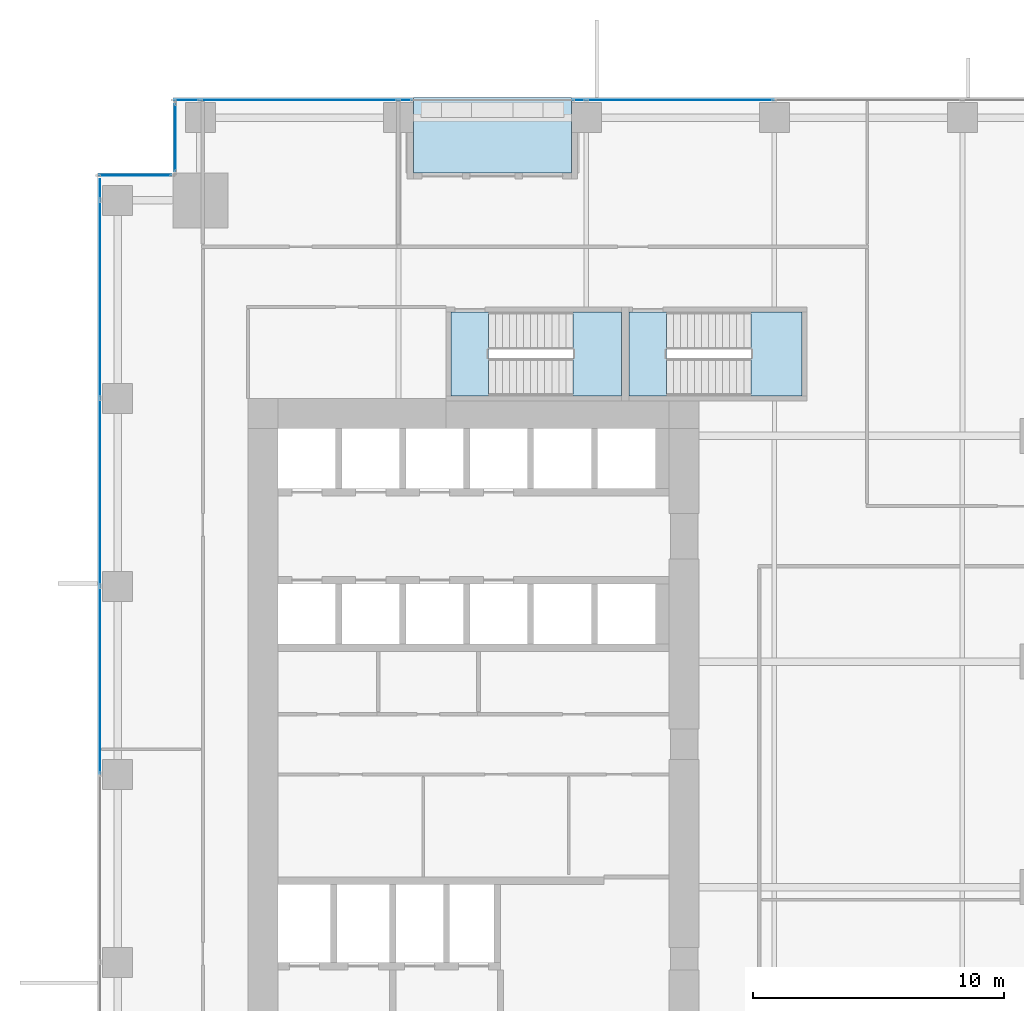
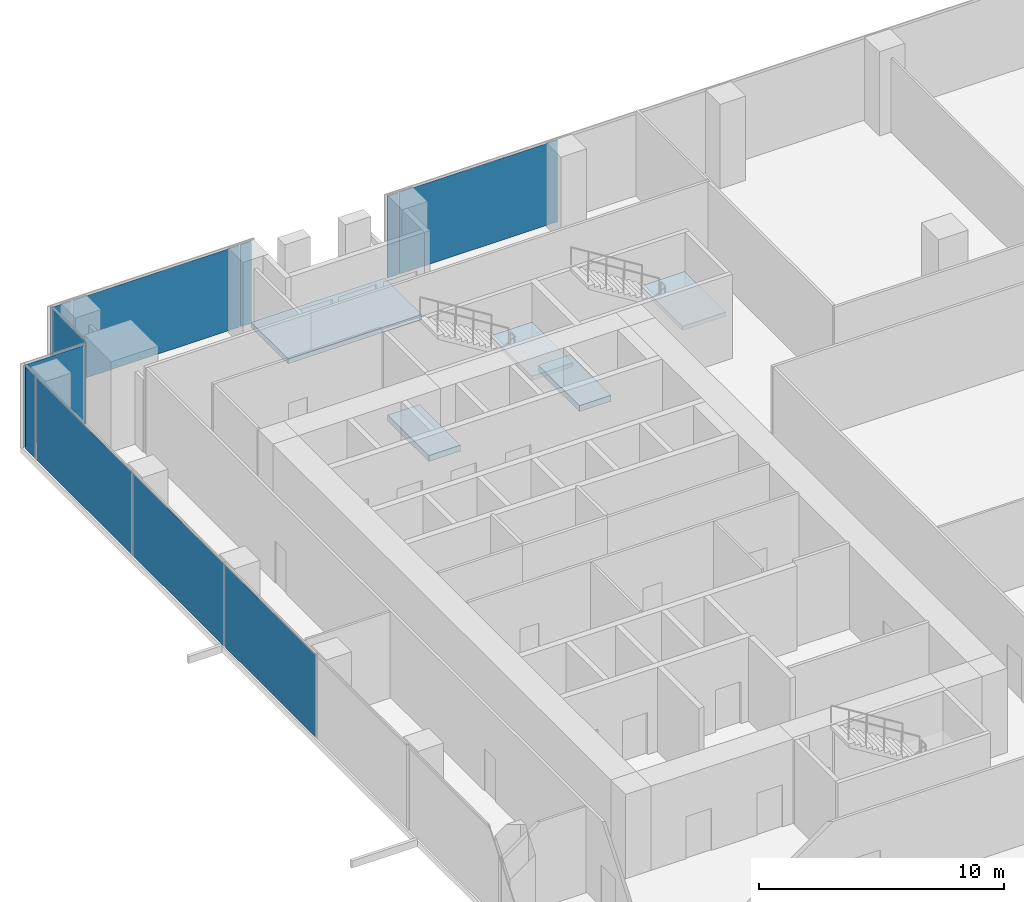
# One storey, part 25 of 33: 11 plates, 5 slabs, 7 elements without a shape of their own.
"""IFC4 building model written with IfcOpenShell, lengths in metres."""

from ifc_helpers import new_model, si_unit, direction, frame, origin, origin_2d, place, context, subcontext, project, spatial, polyline, rectangle, outline, extrude, source, transform, mapped, material, layer, layer_set, type_object, element, aggregate, save


model = new_model("IFC4")

# Units and contexts
model_context = context("Model", 3, precision=1e-05, world=origin(), true_north=direction((0.0, 1.0)))
body_context = subcontext(model_context, "Body", "Model", "MODEL_VIEW")
ifc_project = project(units=[si_unit("LENGTHUNIT", "METRE"), si_unit("AREAUNIT", "SQUARE_METRE"), si_unit("VOLUMEUNIT", "CUBIC_METRE"), si_unit("PLANEANGLEUNIT", "RADIAN"), si_unit("MASSUNIT", "GRAM", prefix="KILO")], contexts=[model_context])

# Site, building, storey
site_placement = place(None, origin())
site = spatial("IfcSite", under=ifc_project, at=site_placement, CompositionType="ELEMENT")
building_placement = place(site_placement, origin())
building = spatial("IfcBuilding", under=site, at=building_placement, Name="Khomas Fold Tower", CompositionType="ELEMENT")
storey_placement = place(building_placement, frame((0.0, 0.0, 82.5)))
storey = spatial("IfcBuildingStorey", under=building, at=storey_placement, Name="L17", CompositionType="ELEMENT", Elevation=82.5)

# Curtain wall, plate
ifc_material_1 = material(Name="Aluminium framed double glazing", Category="aluminium")
curtain_wall_type = type_object("IfcCurtainWallType", Name="SK-Unitised clear-glass wall, growing floors CW1", PredefinedType="NOTDEFINED", material=ifc_material_1)
curtain_wall_1_placement = place(storey_placement, origin())
curtain_wall_1 = element("IfcCurtainWall", 1, at=curtain_wall_1_placement, inside=storey, type_object=curtain_wall_type, Name="CW1 run L17 09-0", PredefinedType="NOTDEFINED")
ifc_material_2 = material(Name="Clear double glazed unit")
ifc_layer_1 = layer(ifc_material_2, 0.031982421875)
ifc_layer_set_1 = layer_set([ifc_layer_1], Name="Clear double glazed unit")
plate_type = type_object("IfcPlateType", Name="SK-Unitised clear-glass wall, growing floors glass panel CW1-P", PredefinedType="CURTAIN_PANEL", material=ifc_layer_set_1)
shared_shape_1 = source(origin(), body_context, "Body", "SweptSolid", [
    extrude(rectangle(XDim=0.81005859375, YDim=0.031982421875, at=origin_2d()), origin(), (0.0, 0.0, 1.0), 4.080078125),
])
plate_1_placement = place(storey_placement, frame((0.10009765625, 50.3349609375, 0.0), z_axis=(0.0, 0.0, 1.0), x_axis=(0.0, -1.0, 0.0)))
plate_1 = element("IfcPlate", 2, at=plate_1_placement, type_object=plate_type, Name="CW1 glass panel 1", PredefinedType="CURTAIN_PANEL", context=body_context, shape_type="MappedRepresentation", body=[
    mapped(shared_shape_1, transform((0.0, 0.0, 0.0))),
])

curtain_wall_2_placement = place(storey_placement, origin())
curtain_wall_2 = element("IfcCurtainWall", 3, at=curtain_wall_2_placement, inside=storey, type_object=curtain_wall_type, Name="CW1 run L17 06-1", PredefinedType="NOTDEFINED")
shared_shape_2 = source(origin(), body_context, "Body", "SweptSolid", [
    extrude(rectangle(XDim=7.840087890625, YDim=0.031982421875, at=origin_2d()), origin(), (0.0, 0.0, 1.0), 4.080078125),
])
plate_2_placement = place(storey_placement, frame((8.050048828125, 53.89990234375, 0.0), z_axis=(0.0, 0.0, 1.0), x_axis=(-1.0, 0.0, 0.0)))
plate_2 = element("IfcPlate", 4, at=plate_2_placement, type_object=plate_type, Name="CW1 glass panel 2", PredefinedType="CURTAIN_PANEL", context=body_context, shape_type="MappedRepresentation", body=[
    mapped(shared_shape_2, transform((0.0, 0.0, 0.0))),
])

# Plate
plate_3_placement = place(storey_placement, frame((0.10009765625, 45.949951171875, 0.0), z_axis=(0.0, 0.0, 1.0), x_axis=(0.0, -1.0, 0.0)))
plate_3 = element("IfcPlate", 5, at=plate_3_placement, type_object=plate_type, Name="CW1 glass panel 2", PredefinedType="CURTAIN_PANEL", context=body_context, shape_type="MappedRepresentation", body=[
    mapped(shared_shape_2, transform((0.0, 0.0, 0.0))),
])

# Curtain wall, plate
curtain_wall_3_placement = place(storey_placement, origin())
curtain_wall_3 = element("IfcCurtainWall", 6, at=curtain_wall_3_placement, inside=storey, type_object=curtain_wall_type, Name="CW1 run L17 06-0", PredefinedType="NOTDEFINED")
shared_shape_3 = source(origin(), body_context, "Body", "SweptSolid", [
    extrude(rectangle(XDim=7.43994140625, YDim=0.031982421875, at=origin_2d()), origin(), (0.0, 0.0, 1.0), 4.080078125),
])
plate_4_placement = place(storey_placement, frame((23.25, 53.89990234375, 0.0), z_axis=(0.0, 0.0, 1.0), x_axis=(-1.0, 0.0, 0.0)))
plate_4 = element("IfcPlate", 7, at=plate_4_placement, type_object=plate_type, Name="CW1 glass panel 5", PredefinedType="CURTAIN_PANEL", context=body_context, shape_type="MappedRepresentation", body=[
    mapped(shared_shape_3, transform((0.0, 0.0, 0.0))),
])

# Plate
plate_5_placement = place(storey_placement, frame((0.10009765625, 38.25, 0.0), z_axis=(0.0, 0.0, 1.0), x_axis=(0.0, -1.0, 0.0)))
plate_5 = element("IfcPlate", 8, at=plate_5_placement, type_object=plate_type, Name="CW1 glass panel 3", PredefinedType="CURTAIN_PANEL", context=body_context, shape_type="MappedRepresentation", body=[
    mapped(shared_shape_3, transform((0.0, 0.0, 0.0))),
])

plate_6_placement = place(storey_placement, frame((0.10009765625, 30.75, 0.0), z_axis=(0.0, 0.0, 1.0), x_axis=(0.0, -1.0, 0.0)))
plate_6 = element("IfcPlate", 9, at=plate_6_placement, type_object=plate_type, Name="CW1 glass panel 4", PredefinedType="CURTAIN_PANEL", context=body_context, shape_type="MappedRepresentation", body=[
    mapped(shared_shape_3, transform((0.0, 0.0, 0.0))),
])

aggregate(curtain_wall_1, [plate_1, plate_3, plate_5, plate_6])

shared_shape_4 = source(origin(), body_context, "Body", "SweptSolid", [
    extrude(rectangle(XDim=1.010009765625, YDim=0.031982421875, at=origin_2d()), origin(), (0.0, 0.0, 1.0), 4.080078125),
])
plate_7_placement = place(storey_placement, frame((3.56494140625, 53.89990234375, 0.0), z_axis=(0.0, 0.0, 1.0), x_axis=(-1.0, 0.0, 0.0)))
plate_7 = element("IfcPlate", 10, at=plate_7_placement, type_object=plate_type, Name="CW1 glass panel 3", PredefinedType="CURTAIN_PANEL", context=body_context, shape_type="MappedRepresentation", body=[
    mapped(shared_shape_4, transform((0.0, 0.0, 0.0))),
])

# Curtain wall, plate
curtain_wall_4_placement = place(storey_placement, origin())
curtain_wall_4 = element("IfcCurtainWall", 11, at=curtain_wall_4_placement, inside=storey, type_object=curtain_wall_type, Name="CW1 corner return L17 07", PredefinedType="NOTDEFINED")
shared_shape_5 = source(origin(), body_context, "Body", "SweptSolid", [
    extrude(rectangle(XDim=2.679931640625, YDim=0.031982421875, at=origin_2d()), origin(), (0.0, 0.0, 1.0), 4.080078125),
])
plate_8_placement = place(storey_placement, frame((3.10009765625, 52.39990234375, 0.0), z_axis=(0.0, 0.0, 1.0), x_axis=(0.0, -1.0, 0.0)))
plate_8 = element("IfcPlate", 12, at=plate_8_placement, type_object=plate_type, Name="CW1 glass panel 1", PredefinedType="CURTAIN_PANEL", context=body_context, shape_type="MappedRepresentation", body=[
    mapped(shared_shape_5, transform((0.0, 0.0, 0.0))),
])
aggregate(curtain_wall_4, [plate_8])

curtain_wall_5_placement = place(storey_placement, origin())
curtain_wall_5 = element("IfcCurtainWall", 13, at=curtain_wall_5_placement, inside=storey, type_object=curtain_wall_type, Name="CW1 corner return L17 08", PredefinedType="NOTDEFINED")
shared_shape_6 = source(origin(), body_context, "Body", "SweptSolid", [
    extrude(rectangle(XDim=2.8798828125, YDim=0.031982421875, at=origin_2d()), origin(), (0.0, 0.0, 1.0), 4.080078125),
])
plate_9_placement = place(storey_placement, frame((1.5, 50.89990234375, 0.0), z_axis=(0.0, 0.0, 1.0), x_axis=(-1.0, 0.0, 0.0)))
plate_9 = element("IfcPlate", 14, at=plate_9_placement, type_object=plate_type, Name="CW1 glass panel 1", PredefinedType="CURTAIN_PANEL", context=body_context, shape_type="MappedRepresentation", body=[
    mapped(shared_shape_6, transform((0.0, 0.0, 0.0))),
])
aggregate(curtain_wall_5, [plate_9])

# Plate
shared_shape_7 = source(origin(), body_context, "Body", "SweptSolid", [
    extrude(rectangle(XDim=0.510009765625, YDim=0.031982421875, at=origin_2d()), origin(), (0.0, 0.0, 1.0), 4.080078125),
])
plate_10_placement = place(storey_placement, frame((19.215087890625, 53.89990234375, 0.0), z_axis=(0.0, 0.0, 1.0), x_axis=(-1.0, 0.0, 0.0)))
plate_10 = element("IfcPlate", 15, at=plate_10_placement, type_object=plate_type, Name="CW1 glass panel 6", PredefinedType="CURTAIN_PANEL", context=body_context, shape_type="MappedRepresentation", body=[
    mapped(shared_shape_7, transform((0.0, 0.0, 0.0))),
])

aggregate(curtain_wall_3, [plate_4, plate_10])

plate_11_placement = place(storey_placement, frame((12.284912109375, 53.89990234375, 0.0), z_axis=(0.0, 0.0, 1.0), x_axis=(-1.0, 0.0, 0.0)))
plate_11 = element("IfcPlate", 16, at=plate_11_placement, type_object=plate_type, Name="CW1 glass panel 1", PredefinedType="CURTAIN_PANEL", context=body_context, shape_type="MappedRepresentation", body=[
    mapped(shared_shape_7, transform((0.0, 0.0, 0.0))),
])

aggregate(curtain_wall_2, [plate_11, plate_2, plate_7])

# Slab
ifc_material_3 = material(Name="Concrete C40/50", Category="concrete")
ifc_layer_2 = layer(ifc_material_3, 0.2548828125)
ifc_layer_set_2 = layer_set([ifc_layer_2], Name="Concrete C40/50")
slab_type_1 = type_object("IfcSlabType", Name="BL-Balcony deck 255", PredefinedType="FLOOR", material=ifc_layer_set_2)
shared_shape_8 = source(origin(), body_context, "Body", "SweptSolid", [
    extrude(outline(polyline([(12.60009765625, 51.0), (18.89990234375, 51.0), (18.89990234375, 54.0), (12.60009765625, 54.0), (12.60009765625, 51.0)])), origin(), (0.0, 0.0, 1.0), 0.255126953125),
])
slab_1_placement = place(storey_placement, frame((0.0, 0.0, -0.300048828125)))
element("IfcSlab", 17, at=slab_1_placement, inside=storey, type_object=slab_type_1, Name="Balcony deck BAL-L17-N1", PredefinedType="FLOOR", context=body_context, shape_type="MappedRepresentation", body=[
    mapped(shared_shape_8, transform((0.0, 0.0, 0.0))),
])

# Stair, slab
ifc_material_4 = material(Name="Concrete C40/50", Category="concrete")
stair_type_1 = type_object("IfcStairType", Name="Stair ST1", PredefinedType="HALF_TURN_STAIR", material=ifc_material_4)
stair_1_placement = place(storey_placement, origin())
stair_1 = element("IfcStair", 18, at=stair_1_placement, inside=storey, type_object=stair_type_1, Name="L17 ST1", PredefinedType="HALF_TURN_STAIR")
ifc_material_5 = material(Name="Concrete C40/50", Category="concrete")
ifc_layer_3 = layer(ifc_material_5, 0.199951171875)
ifc_layer_set_3 = layer_set([ifc_layer_3], Name="Concrete C40/50")
slab_type_2 = type_object("IfcSlabType", Name="Stair landing 200", PredefinedType="LANDING", material=ifc_layer_set_3)
shared_shape_9 = source(origin(), body_context, "Body", "SweptSolid", [
    extrude(outline(polyline([(18.9599609375, 42.10009765625), (20.89990234375, 42.10009765625), (20.89990234375, 45.449951171875), (18.9599609375, 45.449951171875), (18.9599609375, 42.10009765625)])), origin(), (0.0, 0.0, 1.0), 0.199951171875),
])
slab_2_placement = place(storey_placement, frame((0.0, 0.0, 2.050048828125)))
slab_2 = element("IfcSlab", 19, at=slab_2_placement, type_object=slab_type_2, Name="ST1 landing 1", PredefinedType="LANDING", context=body_context, shape_type="MappedRepresentation", body=[
    mapped(shared_shape_9, transform((0.0, 0.0, 0.0))),
])
aggregate(stair_1, [slab_2])

# Slab
ifc_material_6 = material(Name="Concrete C40/50", Category="concrete")
ifc_layer_4 = layer(ifc_material_6, 0.300048828125)
ifc_layer_set_4 = layer_set([ifc_layer_4], Name="Concrete C40/50")
slab_type_3 = type_object("IfcSlabType", Name="Stair floor landing 300", PredefinedType="LANDING", material=ifc_layer_set_4)
shared_shape_10 = source(origin(), body_context, "Body", "SweptSolid", [
    extrude(outline(polyline([(15.60009765625, 42.10009765625), (14.10009765625, 42.10009765625), (14.10009765625, 45.449951171875), (15.60009765625, 45.449951171875), (15.60009765625, 42.10009765625)])), origin(), (0.0, 0.0, 1.0), 0.300048828125),
])
slab_3_placement = place(storey_placement, frame((0.0, 0.0, -0.300048828125)))
element("IfcSlab", 20, at=slab_3_placement, inside=storey, type_object=slab_type_3, Name="ST1 floor landing", PredefinedType="LANDING", context=body_context, shape_type="MappedRepresentation", body=[
    mapped(shared_shape_10, transform((0.0, 0.0, 0.0))),
])

# Stair, slab
ifc_material_7 = material(Name="Concrete C40/50", Category="concrete")
stair_type_2 = type_object("IfcStairType", Name="Stair ST3", PredefinedType="HALF_TURN_STAIR", material=ifc_material_7)
stair_2_placement = place(storey_placement, origin())
stair_2 = element("IfcStair", 21, at=stair_2_placement, inside=storey, type_object=stair_type_2, Name="L17 ST3", PredefinedType="HALF_TURN_STAIR")
shared_shape_11 = source(origin(), body_context, "Body", "SweptSolid", [
    extrude(outline(polyline([(26.06005859375, 42.10009765625), (28.10009765625, 42.10009765625), (28.10009765625, 45.449951171875), (26.06005859375, 45.449951171875), (26.06005859375, 42.10009765625)])), origin(), (0.0, 0.0, 1.0), 0.199951171875),
])
slab_4_placement = place(storey_placement, frame((0.0, 0.0, 2.050048828125)))
slab_4 = element("IfcSlab", 22, at=slab_4_placement, type_object=slab_type_2, Name="ST3 landing 1", PredefinedType="LANDING", context=body_context, shape_type="MappedRepresentation", body=[
    mapped(shared_shape_11, transform((0.0, 0.0, 0.0))),
])
aggregate(stair_2, [slab_4])

# Slab
shared_shape_12 = source(origin(), body_context, "Body", "SweptSolid", [
    extrude(outline(polyline([(22.699951171875, 42.10009765625), (21.199951171875, 42.10009765625), (21.199951171875, 45.449951171875), (22.699951171875, 45.449951171875), (22.699951171875, 42.10009765625)])), origin(), (0.0, 0.0, 1.0), 0.300048828125),
])
slab_5_placement = place(storey_placement, frame((0.0, 0.0, -0.300048828125)))
element("IfcSlab", 23, at=slab_5_placement, inside=storey, type_object=slab_type_3, Name="ST3 floor landing", PredefinedType="LANDING", context=body_context, shape_type="MappedRepresentation", body=[
    mapped(shared_shape_12, transform((0.0, 0.0, 0.0))),
])

save(model, "model.ifc")
